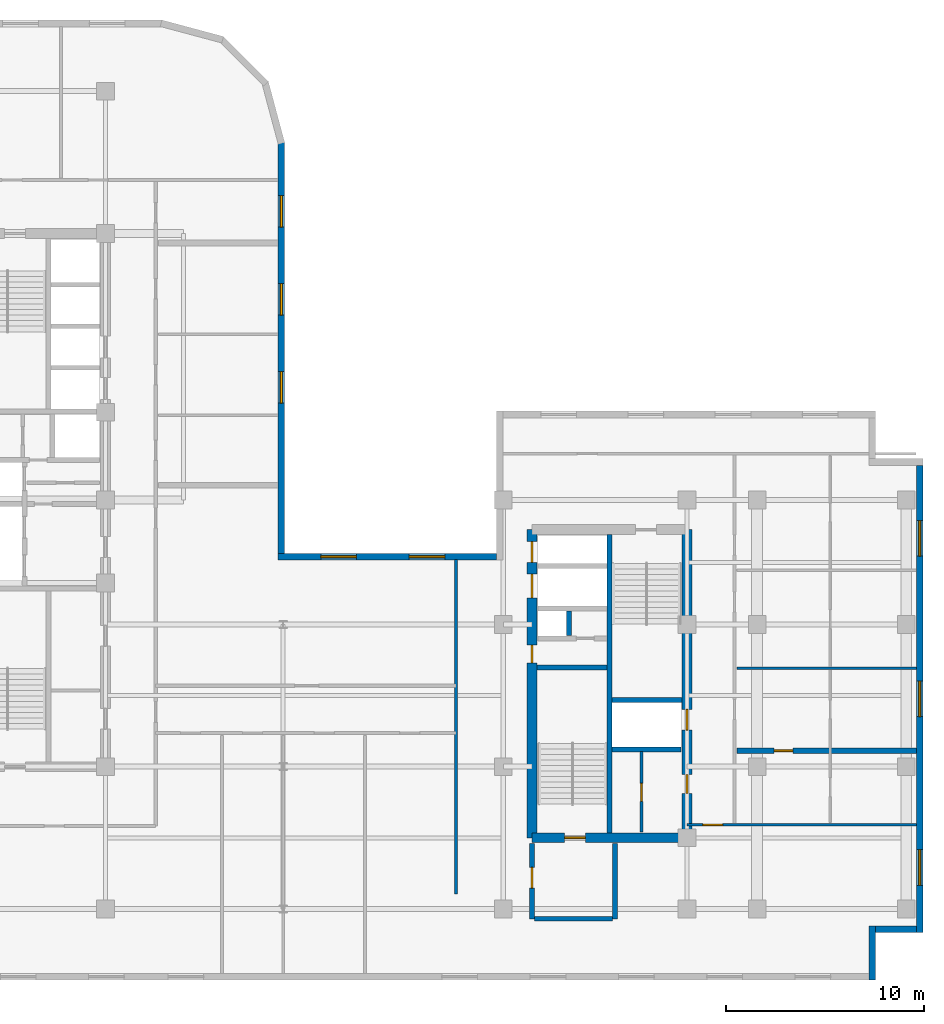
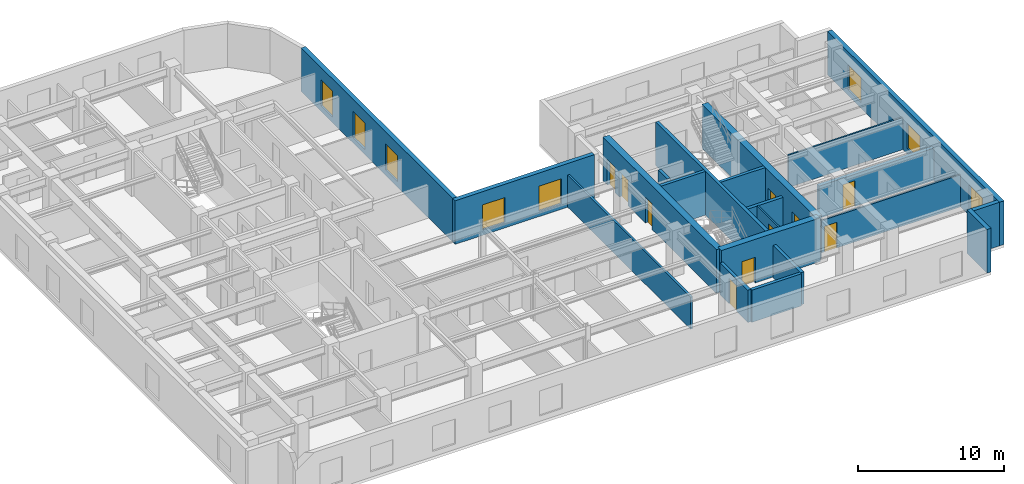
# One storey, part 6 of 11: 21 walls, 10 doors, 8 windows, 18 openings.
"""IFC4 building model written with IfcOpenShell, lengths in metres."""

from ifc_helpers import new_model, entity, si_unit, converted_unit, direction, frame, origin_with_axes, origin_2d_with_axis, place, context, subcontext, project, spatial, polyline, rectangle, outline, extrude, material, layer, layer_set, type_object, element, fill, save


model = new_model("IFC4")

# Units and contexts
model_context = context("Model", 3, precision=1e-05, world=origin_with_axes(), true_north=direction((0.0, 1.0)))
body_context = subcontext(model_context, "Body", "Model", "MODEL_VIEW")
ifc_project = project(units=[si_unit("LENGTHUNIT", "METRE"), si_unit("AREAUNIT", "SQUARE_METRE"), si_unit("VOLUMEUNIT", "CUBIC_METRE"), converted_unit("PLANEANGLEUNIT", "DEGREE", entity("IfcPlaneAngleMeasure", 0.017453292519943295), si_unit("PLANEANGLEUNIT", "RADIAN"), dimensions=[0, 0, 0, 0, 0, 0, 0]), si_unit("MASSUNIT", "GRAM", prefix="KILO"), si_unit("THERMODYNAMICTEMPERATUREUNIT", "KELVIN")], contexts=[model_context])

# Site, building, storey
site_placement = place(None, origin_with_axes())
site = spatial("IfcSite", under=ifc_project, at=site_placement, CompositionType="ELEMENT")
building_placement = place(site_placement, origin_with_axes())
building = spatial("IfcBuilding", under=site, at=building_placement, Name="Varnlund Millrace Tower", CompositionType="ELEMENT")
storey_placement = place(building_placement, frame((0.0, 0.0, 192.6), z_axis=(0.0, 0.0, 1.0), x_axis=(1.0, 0.0, 0.0)))
storey = spatial("IfcBuildingStorey", under=building, at=storey_placement, Name="L47", CompositionType="ELEMENT", Elevation=192.6)

# Wall, openings, doors
ifc_material_1 = material(Name="Concrete C70/85", Category="concrete")
ifc_layer_1 = layer(ifc_material_1, 0.5, Name="Concrete C70/85")
ifc_layer_set_1 = layer_set([ifc_layer_1], Name="Concrete C70/85")
wall_type_1 = type_object("IfcWallType", Name="Type-CoreWall-Shear-500-C70", PredefinedType="SHEAR", material=ifc_layer_set_1)
wall_1_placement = place(storey_placement, frame((40.2, 7.2, 0.0), z_axis=(0.0, 0.0, 1.0), x_axis=(0.0, 1.0, 0.0)))
wall_1 = element("IfcWall", 1, at=wall_1_placement, inside=storey, type_object=wall_type_1, Name="Type-CoreWall-Shear-500-C70", PredefinedType="SHEAR", context=body_context, shape_type="SweptSolid", body=[
    extrude(outline(polyline([(0.0, -0.25), (15.6, -0.25), (15.6, 0.25), (0.0, 0.25), (0.0, -0.25)])), origin_with_axes(), (0.0, 0.0, 1.0), 3.66),
])
opening_1_placement = place(wall_1_placement, frame((14.475, 0.0, 0.0), z_axis=(0.0, 0.0, 1.0), x_axis=(1.0, 0.0, 0.0)))
opening_1 = element("IfcOpeningElement", 2, at=opening_1_placement, cuts=wall_1, Name="Opening L47:LD-ELV-M4", PredefinedType="OPENING", context=body_context, shape_type="SweptSolid", body=[
    extrude(rectangle(XDim=1.05, YDim=0.52, at=origin_2d_with_axis()), origin_with_axes(), (0.0, 0.0, 1.0), 2.15),
])
opening_2_placement = place(wall_1_placement, frame((12.75, 0.0, 0.0), z_axis=(0.0, 0.0, 1.0), x_axis=(1.0, 0.0, 0.0)))
opening_2 = element("IfcOpeningElement", 3, at=opening_2_placement, cuts=wall_1, Name="Opening L47:LD-SRV2", PredefinedType="OPENING", context=body_context, shape_type="SweptSolid", body=[
    extrude(rectangle(XDim=1.2, YDim=0.52, at=origin_2d_with_axis()), origin_with_axes(), (0.0, 0.0, 1.0), 2.15),
])
opening_3_placement = place(wall_1_placement, frame((9.3, 0.0, 0.0), z_axis=(0.0, 0.0, 1.0), x_axis=(1.0, 0.0, 0.0)))
opening_3 = element("IfcOpeningElement", 4, at=opening_3_placement, cuts=wall_1, Name="Opening L47:DR-CB-JAN", PredefinedType="OPENING", context=body_context, shape_type="SweptSolid", body=[
    extrude(rectangle(XDim=0.9, YDim=0.52, at=origin_2d_with_axis()), origin_with_axes(), (0.0, 0.0, 1.0), 2.15),
])
ifc_material_2 = material(Name="Fire-rated hollow steel service closet door", Category="steel")
door_type_1 = type_object("IfcDoorType", Name="Type-FireDoor-Closet-900X2150", OperationType="NOTDEFINED", PredefinedType="DOOR", material=ifc_material_2)
door_1_placement = place(wall_1_placement, frame((9.3, 0.0, 0.0), z_axis=(0.0, 0.0, 1.0), x_axis=(1.0, 0.0, 0.0)))
door_1 = element("IfcDoor", 5, at=door_1_placement, inside=storey, type_object=door_type_1, Name="Type-FireDoor-Closet-900X2150", OperationType="SINGLE_SWING_RIGHT", OverallHeight=2.15, OverallWidth=0.9, PredefinedType="DOOR", context=body_context, shape_type="SweptSolid", body=[
    extrude(rectangle(XDim=0.9, YDim=0.09, at=origin_2d_with_axis()), origin_with_axes(), (0.0, 0.0, 1.0), 2.15),
])
fill(opening_3, door_1)
ifc_material_3 = material(Name="Architectural bronze sliding landing door")
door_type_2 = type_object("IfcDoorType", Name="Type-LiftLandingDoor-Compact-1050X2150", OperationType="NOTDEFINED", PredefinedType="DOOR", material=ifc_material_3)
door_2_placement = place(wall_1_placement, frame((14.475, 0.0, 0.0), z_axis=(0.0, 0.0, 1.0), x_axis=(1.0, 0.0, 0.0)))
door_2 = element("IfcDoor", 6, at=door_2_placement, inside=storey, type_object=door_type_2, Name="Type-LiftLandingDoor-Compact-1050X2150", OperationType="SLIDING_TO_RIGHT", OverallHeight=2.15, OverallWidth=1.05, PredefinedType="DOOR", context=body_context, shape_type="SweptSolid", body=[
    extrude(rectangle(XDim=1.05, YDim=0.09, at=origin_2d_with_axis()), origin_with_axes(), (0.0, 0.0, 1.0), 2.15),
])
fill(opening_1, door_2)
ifc_material_4 = material(Name="Heavy-duty freight sliding landing door")
door_type_3 = type_object("IfcDoorType", Name="Type-LiftLandingDoor-Service-1200X2150", OperationType="NOTDEFINED", PredefinedType="DOOR", material=ifc_material_4)
door_3_placement = place(wall_1_placement, frame((12.75, 0.0, 0.0), z_axis=(0.0, 0.0, 1.0), x_axis=(1.0, 0.0, 0.0)))
door_3 = element("IfcDoor", 7, at=door_3_placement, inside=storey, type_object=door_type_3, Name="Type-LiftLandingDoor-Service-1200X2150", OperationType="DOUBLE_DOOR_SLIDING", OverallHeight=2.15, OverallWidth=1.2, PredefinedType="DOOR", context=body_context, shape_type="SweptSolid", body=[
    extrude(rectangle(XDim=1.2, YDim=0.09, at=origin_2d_with_axis()), origin_with_axes(), (0.0, 0.0, 1.0), 2.15),
])
fill(opening_2, door_3)

# Wall, opening, door
wall_2_placement = place(storey_placement, frame((40.2, 7.2, 0.0), z_axis=(0.0, 0.0, 1.0), x_axis=(1.0, 0.0, 0.0)))
wall_2 = element("IfcWall", 8, at=wall_2_placement, inside=storey, type_object=wall_type_1, Name="Type-CoreWall-Shear-500-C70", PredefinedType="SHEAR", context=body_context, shape_type="SweptSolid", body=[
    extrude(outline(polyline([(0.0, -0.25), (7.85, -0.25), (7.85, 0.25), (0.0, 0.25), (0.0, -0.25)])), origin_with_axes(), (0.0, 0.0, 1.0), 3.66),
])
opening_4_placement = place(wall_2_placement, frame((2.175, 0.0, 0.0), z_axis=(0.0, 0.0, 1.0), x_axis=(1.0, 0.0, 0.0)))
opening_4 = element("IfcOpeningElement", 9, at=opening_4_placement, cuts=wall_2, Name="Opening L47:DR-STB1", PredefinedType="OPENING", context=body_context, shape_type="SweptSolid", body=[
    extrude(rectangle(XDim=1.05, YDim=0.52, at=origin_2d_with_axis()), origin_with_axes(), (0.0, 0.0, 1.0), 2.15),
])
ifc_material_5 = material(Name="Fire-rated hollow steel door", Category="steel")
door_type_4 = type_object("IfcDoorType", Name="Type-FireDoor-Stair-1050X2150", OperationType="NOTDEFINED", PredefinedType="DOOR", material=ifc_material_5)
door_4_placement = place(wall_2_placement, frame((2.175, 0.0, 0.0), z_axis=(0.0, 0.0, 1.0), x_axis=(1.0, 0.0, 0.0)))
door_4 = element("IfcDoor", 10, at=door_4_placement, inside=storey, type_object=door_type_4, Name="Type-FireDoor-Stair-1050X2150", OperationType="SINGLE_SWING_LEFT", OverallHeight=2.15, OverallWidth=1.05, PredefinedType="DOOR", context=body_context, shape_type="SweptSolid", body=[
    extrude(rectangle(XDim=1.05, YDim=0.09, at=origin_2d_with_axis()), origin_with_axes(), (0.0, 0.0, 1.0), 2.15),
])
fill(opening_4, door_4)

# Wall, openings, doors
wall_3_placement = place(storey_placement, frame((48.05, 7.2, 0.0), z_axis=(0.0, 0.0, 1.0), x_axis=(0.0, 1.0, 0.0)))
wall_3 = element("IfcWall", 11, at=wall_3_placement, inside=storey, type_object=wall_type_1, Name="Type-CoreWall-Shear-500-C70", PredefinedType="SHEAR", context=body_context, shape_type="SweptSolid", body=[
    extrude(outline(polyline([(0.0, -0.25), (15.6, -0.25), (15.6, 0.25), (0.0, 0.25), (0.0, -0.25)])), origin_with_axes(), (0.0, 0.0, 1.0), 3.66),
])
opening_5_placement = place(wall_3_placement, frame((5.975, 0.0, 0.0), z_axis=(0.0, 0.0, 1.0), x_axis=(1.0, 0.0, 0.0)))
opening_5 = element("IfcOpeningElement", 12, at=opening_5_placement, cuts=wall_3, Name="Opening L47:LD-ELV-M3", PredefinedType="OPENING", context=body_context, shape_type="SweptSolid", body=[
    extrude(rectangle(XDim=1.05, YDim=0.52, at=origin_2d_with_axis()), origin_with_axes(), (0.0, 0.0, 1.0), 2.15),
])
opening_6_placement = place(wall_3_placement, frame((2.725, 0.0, 0.0), z_axis=(0.0, 0.0, 1.0), x_axis=(1.0, 0.0, 0.0)))
opening_6 = element("IfcOpeningElement", 13, at=opening_6_placement, cuts=wall_3, Name="Opening L47:DR-CB-WC2", PredefinedType="OPENING", context=body_context, shape_type="SweptSolid", body=[
    extrude(rectangle(XDim=0.95, YDim=0.52, at=origin_2d_with_axis()), origin_with_axes(), (0.0, 0.0, 1.0), 2.15),
])
ifc_material_6 = material(Name="Fire-rated hollow steel core service door", Category="steel")
door_type_5 = type_object("IfcDoorType", Name="Type-FireDoor-Service-950X2150", OperationType="NOTDEFINED", PredefinedType="DOOR", material=ifc_material_6)
door_5_placement = place(wall_3_placement, frame((2.725, 0.0, 0.0), z_axis=(0.0, 0.0, 1.0), x_axis=(1.0, 0.0, 0.0)))
door_5 = element("IfcDoor", 14, at=door_5_placement, inside=storey, type_object=door_type_5, Name="Type-FireDoor-Service-950X2150", OperationType="SINGLE_SWING_LEFT", OverallHeight=2.15, OverallWidth=0.95, PredefinedType="DOOR", context=body_context, shape_type="SweptSolid", body=[
    extrude(rectangle(XDim=0.95, YDim=0.09, at=origin_2d_with_axis()), origin_with_axes(), (0.0, 0.0, 1.0), 2.15),
])
fill(opening_6, door_5)
door_6_placement = place(wall_3_placement, frame((5.975, 0.0, 0.0), z_axis=(0.0, 0.0, 1.0), x_axis=(1.0, 0.0, 0.0)))
door_6 = element("IfcDoor", 15, at=door_6_placement, inside=storey, type_object=door_type_2, Name="Type-LiftLandingDoor-Compact-1050X2150", OperationType="SLIDING_TO_LEFT", OverallHeight=2.15, OverallWidth=1.05, PredefinedType="DOOR", context=body_context, shape_type="SweptSolid", body=[
    extrude(rectangle(XDim=1.05, YDim=0.09, at=origin_2d_with_axis()), origin_with_axes(), (0.0, 0.0, 1.0), 2.15),
])
fill(opening_5, door_6)

# Wall, openings, windows
ifc_material_7 = material(Name="Precast concrete C50/60", Category="concrete")
ifc_layer_2 = layer(ifc_material_7, 0.34, Name="Precast concrete C50/60")
ifc_layer_set_2 = layer_set([ifc_layer_2], Name="Precast concrete C50/60")
wall_type_2 = type_object("IfcWallType", Name="Type-ExtWall-Precast-Upper-340", PredefinedType="SOLIDWALL", material=ifc_layer_set_2)
wall_4_placement = place(storey_placement, frame((59.83, 26.06, 0.0), z_axis=(0.0, 0.0, 1.0), x_axis=(0.0, -1.0, 0.0)))
wall_4 = element("IfcWall", 16, at=wall_4_placement, inside=storey, type_object=wall_type_2, Name="Type-ExtWall-Precast-Upper-340", PredefinedType="SOLIDWALL", context=body_context, shape_type="SweptSolid", body=[
    extrude(outline(polyline([(0.0, -0.17), (23.66, -0.17), (23.66, 0.17), (0.0, 0.17), (0.0, -0.17)])), origin_with_axes(), (0.0, 0.0, 1.0), 3.66),
])
opening_7_placement = place(wall_4_placement, frame((3.696, 0.0, 0.45), z_axis=(0.0, 0.0, 1.0), x_axis=(1.0, 0.0, 0.0)))
opening_7 = element("IfcOpeningElement", 17, at=opening_7_placement, cuts=wall_4, Name="Opening L47:WN-05", PredefinedType="OPENING", context=body_context, shape_type="SweptSolid", body=[
    extrude(rectangle(XDim=1.8, YDim=0.36, at=origin_2d_with_axis()), origin_with_axes(), (0.0, 0.0, 1.0), 2.1),
])
opening_8_placement = place(wall_4_placement, frame((11.83, 0.0, 0.45), z_axis=(0.0, 0.0, 1.0), x_axis=(1.0, 0.0, 0.0)))
opening_8 = element("IfcOpeningElement", 18, at=opening_8_placement, cuts=wall_4, Name="Opening L47:WN-06", PredefinedType="OPENING", context=body_context, shape_type="SweptSolid", body=[
    extrude(rectangle(XDim=1.8, YDim=0.36, at=origin_2d_with_axis()), origin_with_axes(), (0.0, 0.0, 1.0), 2.1),
])
opening_9_placement = place(wall_4_placement, frame((20.364, 0.0, 0.45), z_axis=(0.0, 0.0, 1.0), x_axis=(1.0, 0.0, 0.0)))
opening_9 = element("IfcOpeningElement", 19, at=opening_9_placement, cuts=wall_4, Name="Opening L47:WN-07", PredefinedType="OPENING", context=body_context, shape_type="SweptSolid", body=[
    extrude(rectangle(XDim=1.8, YDim=0.36, at=origin_2d_with_axis()), origin_with_axes(), (0.0, 0.0, 1.0), 2.1),
])
ifc_material_8 = material(Name="Argon low-e triple glazing in thermally broken bronze frame", Category="glass")
window_type_1 = type_object("IfcWindowType", Name="Type-Window-Punched-1800X2100", PartitioningType="SINGLE_PANEL", PredefinedType="WINDOW", material=ifc_material_8)
window_1_placement = place(wall_4_placement, frame((3.696, 0.0, 0.45), z_axis=(0.0, 0.0, 1.0), x_axis=(1.0, 0.0, 0.0)))
window_1 = element("IfcWindow", 20, at=window_1_placement, inside=storey, type_object=window_type_1, Name="Type-Window-Punched-1800X2100", OverallHeight=2.1, OverallWidth=1.8, PredefinedType="WINDOW", context=body_context, shape_type="SweptSolid", body=[
    extrude(rectangle(XDim=1.8, YDim=0.09, at=origin_2d_with_axis()), origin_with_axes(), (0.0, 0.0, 1.0), 2.1),
])
fill(opening_7, window_1)
window_2_placement = place(wall_4_placement, frame((11.83, 0.0, 0.45), z_axis=(0.0, 0.0, 1.0), x_axis=(1.0, 0.0, 0.0)))
window_2 = element("IfcWindow", 21, at=window_2_placement, inside=storey, type_object=window_type_1, Name="Type-Window-Punched-1800X2100", OverallHeight=2.1, OverallWidth=1.8, PredefinedType="WINDOW", context=body_context, shape_type="SweptSolid", body=[
    extrude(rectangle(XDim=1.8, YDim=0.09, at=origin_2d_with_axis()), origin_with_axes(), (0.0, 0.0, 1.0), 2.1),
])
fill(opening_8, window_2)
window_3_placement = place(wall_4_placement, frame((20.364, 0.0, 0.45), z_axis=(0.0, 0.0, 1.0), x_axis=(1.0, 0.0, 0.0)))
window_3 = element("IfcWindow", 22, at=window_3_placement, inside=storey, type_object=window_type_1, Name="Type-Window-Punched-1800X2100", OverallHeight=2.1, OverallWidth=1.8, PredefinedType="WINDOW", context=body_context, shape_type="SweptSolid", body=[
    extrude(rectangle(XDim=1.8, YDim=0.09, at=origin_2d_with_axis()), origin_with_axes(), (0.0, 0.0, 1.0), 2.1),
])
fill(opening_9, window_3)

# Walls
wall_5_placement = place(storey_placement, frame((59.66, 2.57, 0.0), z_axis=(0.0, 0.0, 1.0), x_axis=(-1.0, 0.0, 0.0)))
element("IfcWall", 23, at=wall_5_placement, inside=storey, type_object=wall_type_2, Name="Type-ExtWall-Precast-Upper-340", PredefinedType="SOLIDWALL", context=body_context, shape_type="SweptSolid", body=[
    extrude(outline(polyline([(0.0, -0.17), (2.06, -0.17), (2.06, 0.17), (0.0, 0.17), (0.0, -0.17)])), origin_with_axes(), (0.0, 0.0, 1.0), 3.66),
])
wall_6_placement = place(storey_placement, frame((57.43, 2.74, 0.0), z_axis=(0.0, 0.0, 1.0), x_axis=(0.0, -1.0, 0.0)))
element("IfcWall", 24, at=wall_6_placement, inside=storey, type_object=wall_type_2, Name="Type-ExtWall-Precast-Upper-340", PredefinedType="SOLIDWALL", context=body_context, shape_type="SweptSolid", body=[
    extrude(outline(polyline([(0.0, -0.17), (2.74, -0.17), (2.74, 0.17), (0.0, 0.17), (0.0, -0.17)])), origin_with_axes(), (0.0, 0.0, 1.0), 3.66),
])

# Wall, openings, windows
wall_7_placement = place(storey_placement, frame((27.511, 42.42, 0.0), z_axis=(0.0, 0.0, 1.0), x_axis=(0.0, -1.0, 0.0)))
wall_7 = element("IfcWall", 25, at=wall_7_placement, inside=storey, type_object=wall_type_2, Name="Type-ExtWall-Precast-Upper-340", PredefinedType="SOLIDWALL", context=body_context, shape_type="SweptSolid", body=[
    extrude(outline(polyline([(0.0, -0.17), (20.82, -0.17), (20.82, 0.17), (0.0, 0.17), (0.0, -0.17)])), origin_with_axes(), (0.0, 0.0, 1.0), 3.66),
])
opening_10_placement = place(wall_7_placement, frame((3.503, 0.0, 0.45), z_axis=(0.0, 0.0, 1.0), x_axis=(1.0, 0.0, 0.0)))
opening_10 = element("IfcOpeningElement", 26, at=opening_10_placement, cuts=wall_7, Name="Opening L47:WN-28", PredefinedType="OPENING", context=body_context, shape_type="SweptSolid", body=[
    extrude(rectangle(XDim=1.6, YDim=0.36, at=origin_2d_with_axis()), origin_with_axes(), (0.0, 0.0, 1.0), 2.2),
])
opening_11_placement = place(wall_7_placement, frame((7.957, 0.0, 0.45), z_axis=(0.0, 0.0, 1.0), x_axis=(1.0, 0.0, 0.0)))
opening_11 = element("IfcOpeningElement", 27, at=opening_11_placement, cuts=wall_7, Name="Opening L47:WN-29", PredefinedType="OPENING", context=body_context, shape_type="SweptSolid", body=[
    extrude(rectangle(XDim=1.6, YDim=0.36, at=origin_2d_with_axis()), origin_with_axes(), (0.0, 0.0, 1.0), 2.2),
])
opening_12_placement = place(wall_7_placement, frame((12.412, 0.0, 0.45), z_axis=(0.0, 0.0, 1.0), x_axis=(1.0, 0.0, 0.0)))
opening_12 = element("IfcOpeningElement", 28, at=opening_12_placement, cuts=wall_7, Name="Opening L47:WN-30", PredefinedType="OPENING", context=body_context, shape_type="SweptSolid", body=[
    extrude(rectangle(XDim=1.6, YDim=0.36, at=origin_2d_with_axis()), origin_with_axes(), (0.0, 0.0, 1.0), 2.2),
])
window_type_2 = type_object("IfcWindowType", Name="Type-Window-Slot-1600X2200", PartitioningType="SINGLE_PANEL", PredefinedType="WINDOW", material=ifc_material_8)
window_4_placement = place(wall_7_placement, frame((3.503, 0.0, 0.45), z_axis=(0.0, 0.0, 1.0), x_axis=(1.0, 0.0, 0.0)))
window_4 = element("IfcWindow", 29, at=window_4_placement, inside=storey, type_object=window_type_2, Name="Type-Window-Slot-1600X2200", OverallHeight=2.2, OverallWidth=1.6, PredefinedType="WINDOW", context=body_context, shape_type="SweptSolid", body=[
    extrude(rectangle(XDim=1.6, YDim=0.09, at=origin_2d_with_axis()), origin_with_axes(), (0.0, 0.0, 1.0), 2.2),
])
fill(opening_10, window_4)
window_5_placement = place(wall_7_placement, frame((7.957, 0.0, 0.45), z_axis=(0.0, 0.0, 1.0), x_axis=(1.0, 0.0, 0.0)))
window_5 = element("IfcWindow", 30, at=window_5_placement, inside=storey, type_object=window_type_2, Name="Type-Window-Slot-1600X2200", OverallHeight=2.2, OverallWidth=1.6, PredefinedType="WINDOW", context=body_context, shape_type="SweptSolid", body=[
    extrude(rectangle(XDim=1.6, YDim=0.09, at=origin_2d_with_axis()), origin_with_axes(), (0.0, 0.0, 1.0), 2.2),
])
fill(opening_11, window_5)
window_6_placement = place(wall_7_placement, frame((12.412, 0.0, 0.45), z_axis=(0.0, 0.0, 1.0), x_axis=(1.0, 0.0, 0.0)))
window_6 = element("IfcWindow", 31, at=window_6_placement, inside=storey, type_object=window_type_2, Name="Type-Window-Slot-1600X2200", OverallHeight=2.2, OverallWidth=1.6, PredefinedType="WINDOW", context=body_context, shape_type="SweptSolid", body=[
    extrude(rectangle(XDim=1.6, YDim=0.09, at=origin_2d_with_axis()), origin_with_axes(), (0.0, 0.0, 1.0), 2.2),
])
fill(opening_12, window_6)

wall_8_placement = place(storey_placement, frame((27.341, 21.43, 0.0), z_axis=(0.0, 0.0, 1.0), x_axis=(1.0, 0.0, 0.0)))
wall_8 = element("IfcWall", 32, at=wall_8_placement, inside=storey, type_object=wall_type_2, Name="Type-ExtWall-Precast-Upper-340", PredefinedType="SOLIDWALL", context=body_context, shape_type="SweptSolid", body=[
    extrude(outline(polyline([(0.0, -0.17), (11.059, -0.17), (11.059, 0.17), (0.0, 0.17), (0.0, -0.17)])), origin_with_axes(), (0.0, 0.0, 1.0), 3.66),
])
opening_13_placement = place(wall_8_placement, frame((3.065, 0.0, 0.45), z_axis=(0.0, 0.0, 1.0), x_axis=(1.0, 0.0, 0.0)))
opening_13 = element("IfcOpeningElement", 33, at=opening_13_placement, cuts=wall_8, Name="Opening L47:WN-31", PredefinedType="OPENING", context=body_context, shape_type="SweptSolid", body=[
    extrude(rectangle(XDim=1.8, YDim=0.36, at=origin_2d_with_axis()), origin_with_axes(), (0.0, 0.0, 1.0), 2.1),
])
opening_14_placement = place(wall_8_placement, frame((7.544, 0.0, 0.45), z_axis=(0.0, 0.0, 1.0), x_axis=(1.0, 0.0, 0.0)))
opening_14 = element("IfcOpeningElement", 34, at=opening_14_placement, cuts=wall_8, Name="Opening L47:WN-32", PredefinedType="OPENING", context=body_context, shape_type="SweptSolid", body=[
    extrude(rectangle(XDim=1.8, YDim=0.36, at=origin_2d_with_axis()), origin_with_axes(), (0.0, 0.0, 1.0), 2.1),
])
window_7_placement = place(wall_8_placement, frame((3.065, 0.0, 0.45), z_axis=(0.0, 0.0, 1.0), x_axis=(1.0, 0.0, 0.0)))
window_7 = element("IfcWindow", 35, at=window_7_placement, inside=storey, type_object=window_type_1, Name="Type-Window-Punched-1800X2100", OverallHeight=2.1, OverallWidth=1.8, PredefinedType="WINDOW", context=body_context, shape_type="SweptSolid", body=[
    extrude(rectangle(XDim=1.8, YDim=0.09, at=origin_2d_with_axis()), origin_with_axes(), (0.0, 0.0, 1.0), 2.1),
])
fill(opening_13, window_7)
window_8_placement = place(wall_8_placement, frame((7.544, 0.0, 0.45), z_axis=(0.0, 0.0, 1.0), x_axis=(1.0, 0.0, 0.0)))
window_8 = element("IfcWindow", 36, at=window_8_placement, inside=storey, type_object=window_type_1, Name="Type-Window-Punched-1800X2100", OverallHeight=2.1, OverallWidth=1.8, PredefinedType="WINDOW", context=body_context, shape_type="SweptSolid", body=[
    extrude(rectangle(XDim=1.8, YDim=0.09, at=origin_2d_with_axis()), origin_with_axes(), (0.0, 0.0, 1.0), 2.1),
])
fill(opening_14, window_8)

# Wall, opening, door
ifc_material_9 = material(Name="Double-stud STC-60 conference acoustic partition", Category="gypsum")
ifc_layer_3 = layer(ifc_material_9, 0.28, Name="Double-stud STC-60 conference acoustic partition")
ifc_layer_set_3 = layer_set([ifc_layer_3], Name="Double-stud STC-60 conference acoustic partition")
wall_type_3 = type_object("IfcWallType", Name="Type-Partition-Acoustic-280", PredefinedType="PARTITIONING", material=ifc_layer_set_3)
wall_9_placement = place(storey_placement, frame((50.57, 11.603, 0.0), z_axis=(0.0, 0.0, 1.0), x_axis=(1.0, 0.0, 0.0)))
wall_9 = element("IfcWall", 37, at=wall_9_placement, inside=storey, type_object=wall_type_3, Name="Type-Partition-Acoustic-280", PredefinedType="PARTITIONING", context=body_context, shape_type="SweptSolid", body=[
    extrude(outline(polyline([(0.0, -0.14), (9.095, -0.14), (9.095, 0.14), (0.0, 0.14), (0.0, -0.14)])), origin_with_axes(), (0.0, 0.0, 1.0), 2.7),
])
opening_15_placement = place(wall_9_placement, frame((2.365, 0.0, 0.0), z_axis=(0.0, 0.0, 1.0), x_axis=(1.0, 0.0, 0.0)))
opening_15 = element("IfcOpeningElement", 38, at=opening_15_placement, cuts=wall_9, Name="Opening L47:DR-WB-01", PredefinedType="OPENING", context=body_context, shape_type="SweptSolid", body=[
    extrude(rectangle(XDim=0.95, YDim=0.3, at=origin_2d_with_axis()), origin_with_axes(), (0.0, 0.0, 1.0), 2.15),
])
ifc_material_10 = material(Name="Solid-core acoustic office door")
door_type_6 = type_object("IfcDoorType", Name="Type-IntDoor-Tenant-950X2150", OperationType="NOTDEFINED", PredefinedType="DOOR", material=ifc_material_10)
door_7_placement = place(wall_9_placement, frame((2.365, 0.0, 0.0), z_axis=(0.0, 0.0, 1.0), x_axis=(1.0, 0.0, 0.0)))
door_7 = element("IfcDoor", 39, at=door_7_placement, inside=storey, type_object=door_type_6, Name="Type-IntDoor-Tenant-950X2150", OperationType="SINGLE_SWING_LEFT", OverallHeight=2.15, OverallWidth=0.95, PredefinedType="DOOR", context=body_context, shape_type="SweptSolid", body=[
    extrude(rectangle(XDim=0.95, YDim=0.09, at=origin_2d_with_axis()), origin_with_axes(), (0.0, 0.0, 1.0), 2.15),
])
fill(opening_15, door_7)

# Wall
ifc_material_11 = material(Name="Fire-rated gypsum board on cold-formed steel framing", Category="steel")
ifc_layer_4 = layer(ifc_material_11, 0.16, Name="Fire-rated gypsum board on cold-formed steel framing")
ifc_layer_set_4 = layer_set([ifc_layer_4], Name="Fire-rated gypsum board on cold-formed steel framing")
wall_type_4 = type_object("IfcWallType", Name="Type-Partition-Corridor-160", PredefinedType="PARTITIONING", material=ifc_layer_set_4)
wall_10_placement = place(storey_placement, frame((36.35, 4.35, 0.0), z_axis=(0.0, 0.0, 1.0), x_axis=(0.0, 1.0, 0.0)))
element("IfcWall", 40, at=wall_10_placement, inside=storey, type_object=wall_type_4, Name="Type-Partition-Corridor-160", PredefinedType="PARTITIONING", context=body_context, shape_type="SweptSolid", body=[
    extrude(outline(polyline([(0.0, -0.08), (16.95, -0.08), (16.95, 0.08), (0.0, 0.08), (0.0, -0.08)])), origin_with_axes(), (0.0, 0.0, 1.0), 2.7),
])

# Wall, opening, door
ifc_material_12 = material(Name="Gypsum board tenant partition", Category="gypsum")
ifc_layer_5 = layer(ifc_material_12, 0.125, Name="Gypsum board tenant partition")
ifc_layer_set_5 = layer_set([ifc_layer_5], Name="Gypsum board tenant partition")
wall_type_5 = type_object("IfcWallType", Name="Type-Partition-Tenant-125", PredefinedType="PARTITIONING", material=ifc_layer_set_5)
wall_11_placement = place(storey_placement, frame((59.665, 7.85, 0.0), z_axis=(0.0, 0.0, 1.0), x_axis=(-1.0, 0.0, 0.0)))
wall_11 = element("IfcWall", 41, at=wall_11_placement, inside=storey, type_object=wall_type_5, Name="Type-Partition-Tenant-125", PredefinedType="PARTITIONING", context=body_context, shape_type="SweptSolid", body=[
    extrude(outline(polyline([(0.0, -0.0625), (11.615, -0.0625), (11.615, 0.0625), (0.0, 0.0625), (0.0, -0.0625)])), origin_with_axes(), (0.0, 0.0, 1.0), 2.7),
])
opening_16_placement = place(wall_11_placement, frame((10.315, 0.0, 0.0), z_axis=(0.0, 0.0, 1.0), x_axis=(1.0, 0.0, 0.0)))
opening_16 = element("IfcOpeningElement", 42, at=opening_16_placement, cuts=wall_11, Name="Opening L47:DR-WBS-01", PredefinedType="OPENING", context=body_context, shape_type="SweptSolid", body=[
    extrude(rectangle(XDim=1.0, YDim=0.145, at=origin_2d_with_axis()), origin_with_axes(), (0.0, 0.0, 1.0), 2.15),
])
ifc_material_13 = material(Name="Solid-core white oak and bronze frame door")
door_type_7 = type_object("IfcDoorType", Name="Type-IntDoor-Office-1000X2150", OperationType="NOTDEFINED", PredefinedType="DOOR", material=ifc_material_13)
door_8_placement = place(wall_11_placement, frame((10.315, 0.0, 0.0), z_axis=(0.0, 0.0, 1.0), x_axis=(1.0, 0.0, 0.0)))
door_8 = element("IfcDoor", 43, at=door_8_placement, inside=storey, type_object=door_type_7, Name="Type-IntDoor-Office-1000X2150", OperationType="SINGLE_SWING_LEFT", OverallHeight=2.15, OverallWidth=1.0, PredefinedType="DOOR", context=body_context, shape_type="SweptSolid", body=[
    extrude(rectangle(XDim=1.0, YDim=0.075, at=origin_2d_with_axis()), origin_with_axes(), (0.0, 0.0, 1.0), 2.15),
])
fill(opening_16, door_8)

# Wall
wall_12_placement = place(storey_placement, frame((50.57, 15.777, 0.0), z_axis=(0.0, 0.0, 1.0), x_axis=(1.0, 0.0, 0.0)))
element("IfcWall", 44, at=wall_12_placement, inside=storey, type_object=wall_type_5, Name="Type-Partition-Tenant-125", PredefinedType="PARTITIONING", context=body_context, shape_type="SweptSolid", body=[
    extrude(outline(polyline([(0.0, -0.0625), (9.095, -0.0625), (9.095, 0.0625), (0.0, 0.0625), (0.0, -0.0625)])), origin_with_axes(), (0.0, 0.0, 1.0), 2.7),
])

# Wall, opening, door
ifc_material_14 = material(Name="Moisture-resistant gypsum restroom partition", Category="gypsum")
ifc_layer_6 = layer(ifc_material_14, 0.14, Name="Moisture-resistant gypsum restroom partition")
ifc_layer_set_6 = layer_set([ifc_layer_6], Name="Moisture-resistant gypsum restroom partition")
wall_type_6 = type_object("IfcWallType", Name="Type-Partition-Wet-140", PredefinedType="PARTITIONING", material=ifc_layer_set_6)
wall_13_placement = place(storey_placement, frame((45.75, 7.5, 0.0), z_axis=(0.0, 0.0, 1.0), x_axis=(0.0, 1.0, 0.0)))
wall_13 = element("IfcWall", 45, at=wall_13_placement, inside=storey, type_object=wall_type_6, Name="Type-Partition-Wet-140", PredefinedType="PARTITIONING", context=body_context, shape_type="SweptSolid", body=[
    extrude(outline(polyline([(0.0, -0.07), (4.08, -0.07), (4.08, 0.07), (0.0, 0.07), (0.0, -0.07)])), origin_with_axes(), (0.0, 0.0, 1.0), 2.7),
])
opening_17_placement = place(wall_13_placement, frame((2.0, 0.0, 0.0), z_axis=(0.0, 0.0, 1.0), x_axis=(1.0, 0.0, 0.0)))
opening_17 = element("IfcOpeningElement", 46, at=opening_17_placement, cuts=wall_13, Name="Opening L47:DR-CB-WC1", PredefinedType="OPENING", context=body_context, shape_type="SweptSolid", body=[
    extrude(rectangle(XDim=0.9, YDim=0.16, at=origin_2d_with_axis()), origin_with_axes(), (0.0, 0.0, 1.0), 2.15),
])
ifc_material_15 = material(Name="Painted steel riser and closet door", Category="steel")
door_type_8 = type_object("IfcDoorType", Name="Type-IntDoor-Closet-900X2150", OperationType="NOTDEFINED", PredefinedType="DOOR", material=ifc_material_15)
door_9_placement = place(wall_13_placement, frame((2.0, 0.0, 0.0), z_axis=(0.0, 0.0, 1.0), x_axis=(1.0, 0.0, 0.0)))
door_9 = element("IfcDoor", 47, at=door_9_placement, inside=storey, type_object=door_type_8, Name="Type-IntDoor-Closet-900X2150", OperationType="SINGLE_SWING_LEFT", OverallHeight=2.15, OverallWidth=0.9, PredefinedType="DOOR", context=body_context, shape_type="SweptSolid", body=[
    extrude(rectangle(XDim=0.9, YDim=0.084, at=origin_2d_with_axis()), origin_with_axes(), (0.0, 0.0, 1.0), 2.15),
])
fill(opening_17, door_9)

# Wall
ifc_material_16 = material(Name="Concrete C60/75", Category="concrete")
ifc_layer_7 = layer(ifc_material_16, 0.25, Name="Concrete C60/75")
ifc_layer_set_7 = layer_set([ifc_layer_7], Name="Concrete C60/75")
wall_type_7 = type_object("IfcWallType", Name="Type-ShaftWall-Fire-250", PredefinedType="SOLIDWALL", material=ifc_layer_set_7)
wall_14_placement = place(storey_placement, frame((42.075, 17.43, 0.0), z_axis=(0.0, 0.0, 1.0), x_axis=(0.0, 1.0, 0.0)))
element("IfcWall", 48, at=wall_14_placement, inside=storey, type_object=wall_type_7, Name="Type-ShaftWall-Fire-250", PredefinedType="SOLIDWALL", context=body_context, shape_type="SweptSolid", body=[
    extrude(outline(polyline([(0.0, -0.125), (1.24, -0.125), (1.24, 0.125), (0.0, 0.125), (0.0, -0.125)])), origin_with_axes(), (0.0, 0.0, 1.0), 2.7),
])

# Wall, opening, door
wall_15_placement = place(storey_placement, frame((40.2, 3.1, 0.0), z_axis=(0.0, 0.0, 1.0), x_axis=(0.0, 1.0, 0.0)))
wall_15 = element("IfcWall", 49, at=wall_15_placement, inside=storey, type_object=wall_type_7, Name="Type-ShaftWall-Fire-250", PredefinedType="SOLIDWALL", context=body_context, shape_type="SweptSolid", body=[
    extrude(outline(polyline([(0.0, -0.125), (3.8, -0.125), (3.8, 0.125), (0.0, 0.125), (0.0, -0.125)])), origin_with_axes(), (0.0, 0.0, 1.0), 2.7),
])
opening_18_placement = place(wall_15_placement, frame((2.075, 0.0, 0.0), z_axis=(0.0, 0.0, 1.0), x_axis=(1.0, 0.0, 0.0)))
opening_18 = element("IfcOpeningElement", 50, at=opening_18_placement, cuts=wall_15, Name="Opening L47:DR-FFLOB-B", PredefinedType="OPENING", context=body_context, shape_type="SweptSolid", body=[
    extrude(rectangle(XDim=1.05, YDim=0.27, at=origin_2d_with_axis()), origin_with_axes(), (0.0, 0.0, 1.0), 2.15),
])
ifc_material_17 = material(Name="Smoke-barrier hollow steel fire door", Category="steel")
door_type_9 = type_object("IfcDoorType", Name="Type-FireDoor-Lobby-1050X2150", OperationType="NOTDEFINED", PredefinedType="DOOR", material=ifc_material_17)
door_10_placement = place(wall_15_placement, frame((2.075, 0.0, 0.0), z_axis=(0.0, 0.0, 1.0), x_axis=(1.0, 0.0, 0.0)))
door_10 = element("IfcDoor", 51, at=door_10_placement, inside=storey, type_object=door_type_9, Name="Type-FireDoor-Lobby-1050X2150", OperationType="SINGLE_SWING_LEFT", OverallHeight=2.15, OverallWidth=1.05, PredefinedType="DOOR", context=body_context, shape_type="SweptSolid", body=[
    extrude(rectangle(XDim=1.05, YDim=0.09, at=origin_2d_with_axis()), origin_with_axes(), (0.0, 0.0, 1.0), 2.15),
])
fill(opening_18, door_10)

# Walls
wall_16_placement = place(storey_placement, frame((40.325, 3.1, 0.0), z_axis=(0.0, 0.0, 1.0), x_axis=(1.0, 0.0, 0.0)))
element("IfcWall", 52, at=wall_16_placement, inside=storey, type_object=wall_type_7, Name="Type-ShaftWall-Fire-250", PredefinedType="SOLIDWALL", context=body_context, shape_type="SweptSolid", body=[
    extrude(outline(polyline([(0.0, -0.125), (3.95, -0.125), (3.95, 0.125), (0.0, 0.125), (0.0, -0.125)])), origin_with_axes(), (0.0, 0.0, 1.0), 2.7),
])
wall_17_placement = place(storey_placement, frame((44.4, 3.1, 0.0), z_axis=(0.0, 0.0, 1.0), x_axis=(0.0, 1.0, 0.0)))
element("IfcWall", 53, at=wall_17_placement, inside=storey, type_object=wall_type_7, Name="Type-ShaftWall-Fire-250", PredefinedType="SOLIDWALL", context=body_context, shape_type="SweptSolid", body=[
    extrude(outline(polyline([(0.0, -0.125), (3.8, -0.125), (3.8, 0.125), (0.0, 0.125), (0.0, -0.125)])), origin_with_axes(), (0.0, 0.0, 1.0), 2.7),
])
wall_18_placement = place(storey_placement, frame((44.25, 11.66, 0.0), z_axis=(0.0, 0.0, 1.0), x_axis=(1.0, 0.0, 0.0)))
element("IfcWall", 54, at=wall_18_placement, inside=storey, type_object=wall_type_7, Name="Type-ShaftWall-Fire-250", PredefinedType="SOLIDWALL", context=body_context, shape_type="SweptSolid", body=[
    extrude(outline(polyline([(0.0, -0.125), (3.5, -0.125), (3.5, 0.125), (0.0, 0.125), (0.0, -0.125)])), origin_with_axes(), (0.0, 0.0, 1.0), 2.7),
])
wall_type_8 = type_object("IfcWallType", Name="Type-StairWall-Shear-250", PredefinedType="SHEAR", material=ifc_layer_set_7)
wall_19_placement = place(storey_placement, frame((44.125, 7.45, 0.0), z_axis=(0.0, 0.0, 1.0), x_axis=(0.0, 1.0, 0.0)))
element("IfcWall", 55, at=wall_19_placement, inside=storey, type_object=wall_type_8, Name="Type-StairWall-Shear-250", PredefinedType="SHEAR", context=body_context, shape_type="SweptSolid", body=[
    extrude(outline(polyline([(0.0, -0.125), (15.1, -0.125), (15.1, 0.125), (0.0, 0.125), (0.0, -0.125)])), origin_with_axes(), (0.0, 0.0, 1.0), 3.66),
])
for number, where, z_axis, x_axis, name in (
    (56, (40.45, 15.825, 0.0), (0.0, 0.0, 1.0), (1.0, 0.0, 0.0), "Type-StairWall-Shear-250"),
    (57, (44.25, 14.175, 0.0), (0.0, 0.0, 1.0), (1.0, 0.0, 0.0), "Type-StairWall-Shear-250"),
):
    element("IfcWall", number, at=place(storey_placement, frame(where, z_axis=z_axis, x_axis=x_axis)), inside=storey, type_object=wall_type_8, Name=name, PredefinedType="SHEAR", context=body_context, shape_type="SweptSolid", body=[
        extrude(outline(polyline([(0.0, -0.125), (3.55, -0.125), (3.55, 0.125), (0.0, 0.125), (0.0, -0.125)])), origin_with_axes(), (0.0, 0.0, 1.0), 3.66),
    ])

save(model, "model.ifc")
